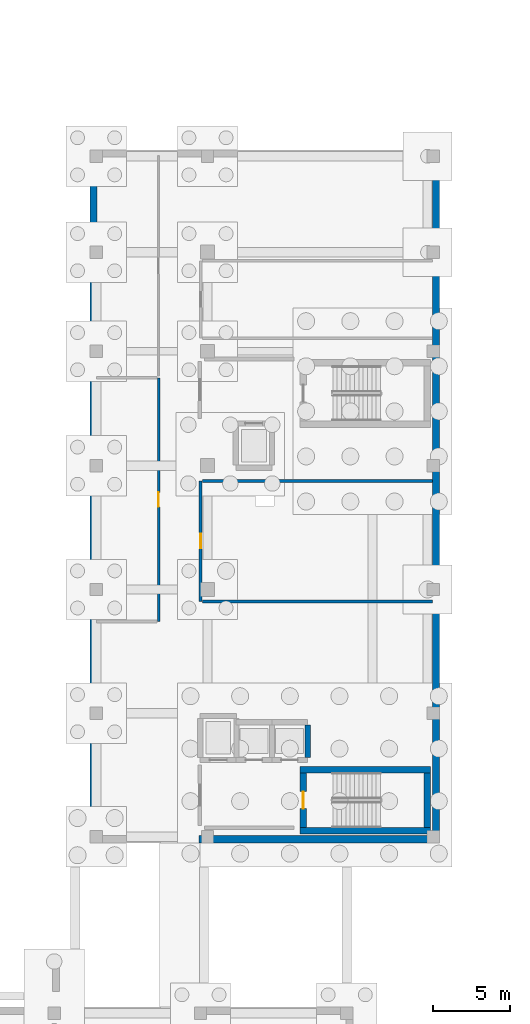
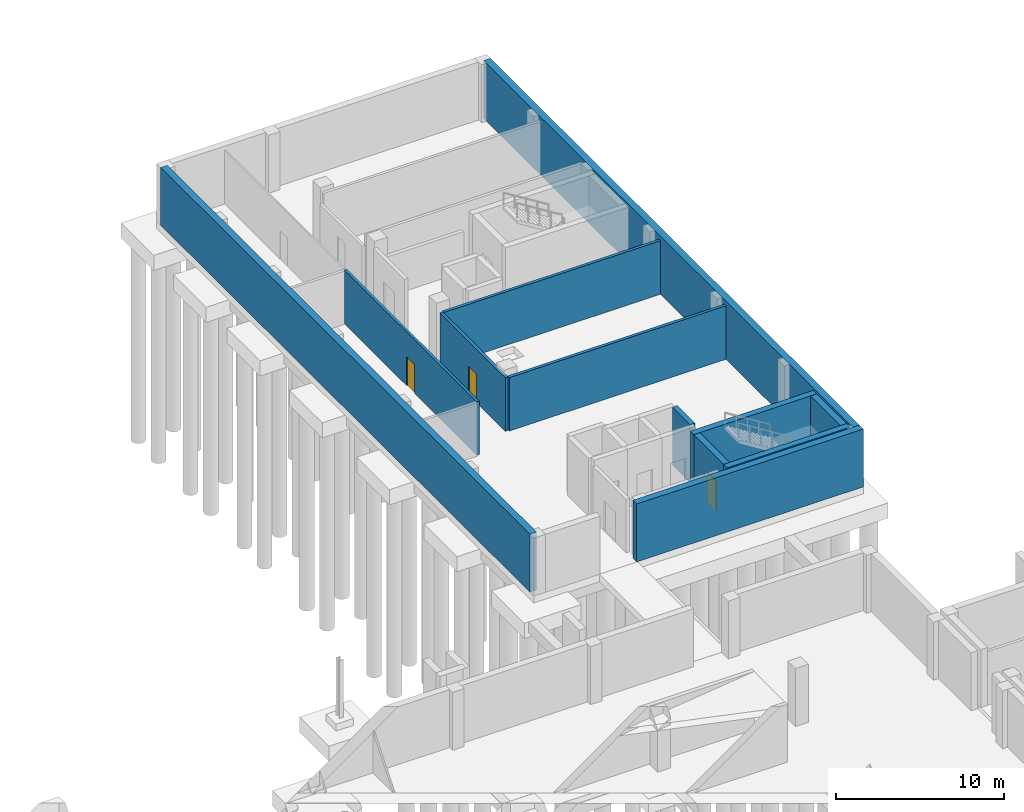
# One storey, part 19 of 31: 12 walls, 3 doors, 3 openings.
"""IFC4 building model written with IfcOpenShell, lengths in metres."""

from ifc_helpers import new_model, si_unit, direction, frame, frame_2d, origin, place, context, subcontext, project, spatial, rectangle, extrude, material, layer, layer_set, type_object, element, fill, save


model = new_model("IFC4")

# Units and contexts
model_context = context("Model", 3, precision=1e-05, world=origin(), true_north=direction((0.0, 1.0)))
body_context = subcontext(model_context, "Body", "Model", "MODEL_VIEW")
ifc_project = project(units=[si_unit("LENGTHUNIT", "METRE"), si_unit("AREAUNIT", "SQUARE_METRE"), si_unit("VOLUMEUNIT", "CUBIC_METRE"), si_unit("PLANEANGLEUNIT", "RADIAN"), si_unit("MASSUNIT", "GRAM", prefix="KILO")], contexts=[model_context])

# Site, building, storey
site_placement = place(None, origin())
site = spatial("IfcSite", under=ifc_project, at=site_placement, CompositionType="ELEMENT")
building_placement = place(site_placement, origin())
building = spatial("IfcBuilding", under=site, at=building_placement, Name="Qalavern Law Courts", CompositionType="ELEMENT")
storey_placement = place(building_placement, frame((0.0, 0.0, -8.39990234375)))
storey = spatial("IfcBuildingStorey", under=building, at=storey_placement, Name="B2", CompositionType="ELEMENT", Elevation=-8.39990234375)

# Walls
ifc_material_1 = material(Name="Concrete C35/45", Category="concrete")
ifc_layer_1 = layer(ifc_material_1, 0.4599609375)
ifc_layer_set_1 = layer_set([ifc_layer_1], Name="Concrete C35/45")
wall_type_1 = type_object("IfcWallType", Name="ENV-EW-RET460", PredefinedType="SOLIDWALL", material=ifc_layer_set_1)
wall_1_placement = place(storey_placement, frame((91.25, 41.25, 0.0), z_axis=(0.0, 0.0, 1.0), x_axis=(1.0, 0.0, 0.0)))
element("IfcWall", 1, at=wall_1_placement, inside=storey, type_object=wall_type_1, Name="V4 basement retaining wall B2 south", PredefinedType="SOLIDWALL", context=body_context, shape_type="SweptSolid", body=[
    extrude(rectangle(XDim=15.550048828125, YDim=0.4599609375, at=frame_2d((7.77490234375, 0.0))), origin(), (0.0, 0.0, 1.0), 4.199951171875),
])
for number, where, z_axis, x_axis, name in (
    (2, (106.570068359375, 41.47509765625, 0.0), (0.0, 0.0, 1.0), (0.0, 1.0, 0.0), "V4 basement retaining wall B2 east"),
    (3, (84.429931640625, 85.344970703125, 0.0), (0.0, 0.0, 1.0), (0.0, -1.0, 0.0), "V4 basement retaining wall B2 west"),
):
    element("IfcWall", number, at=place(storey_placement, frame(where, z_axis=z_axis, x_axis=x_axis)), inside=storey, type_object=wall_type_1, Name=name, PredefinedType="SOLIDWALL", context=body_context, shape_type="SweptSolid", body=[
        extrude(rectangle(XDim=43.869873046875, YDim=0.4599609375, at=frame_2d((21.93505859375, 0.0))), origin(), (0.0, 0.0, 1.0), 4.199951171875),
    ])
ifc_material_2 = material(Name="Concrete C45/55", Category="concrete")
ifc_layer_2 = layer(ifc_material_2, 0.4150390625)
ifc_layer_set_2 = layer_set([ifc_layer_2], Name="Concrete C45/55")
wall_type_2 = type_object("IfcWallType", Name="INT-CW-415", PredefinedType="SHEAR", material=ifc_layer_set_2)
wall_2_placement = place(storey_placement, frame((97.784912109375, 41.79248046875, 0.0), z_axis=(0.0, 0.0, 1.0), x_axis=(1.0, 0.0, 0.0)))
element("IfcWall", 4, at=wall_2_placement, inside=storey, type_object=wall_type_2, Name="Core K1A stair shear wall B2 south", PredefinedType="SHEAR", context=body_context, shape_type="SweptSolid", body=[
    extrude(rectangle(XDim=8.43017578125, YDim=0.4150390625, at=frame_2d((4.215087890625, 0.0))), origin(), (0.0, 0.0, 1.0), 4.199951171875),
])
wall_3_placement = place(storey_placement, frame((106.007568359375, 42.0, 0.0), z_axis=(0.0, 0.0, 1.0), x_axis=(0.0, 1.0, 0.0)))
element("IfcWall", 5, at=wall_3_placement, inside=storey, type_object=wall_type_2, Name="Core K1A stair shear wall B2 east", PredefinedType="SHEAR", context=body_context, shape_type="SweptSolid", body=[
    extrude(rectangle(XDim=3.550048828125, YDim=0.4150390625, at=frame_2d((1.77490234375, 0.0))), origin(), (0.0, 0.0, 1.0), 4.199951171875),
])
wall_4_placement = place(storey_placement, frame((106.215087890625, 45.757568359375, 0.0), z_axis=(0.0, 0.0, 1.0), x_axis=(-1.0, 0.0, 0.0)))
element("IfcWall", 6, at=wall_4_placement, inside=storey, type_object=wall_type_2, Name="Core K1A stair shear wall B2 north", PredefinedType="SHEAR", context=body_context, shape_type="SweptSolid", body=[
    extrude(rectangle(XDim=8.43017578125, YDim=0.4150390625, at=frame_2d((4.215087890625, 0.0))), origin(), (0.0, 0.0, 1.0), 4.199951171875),
])

# Wall, opening, door
wall_5_placement = place(storey_placement, frame((97.992431640625, 45.550048828125, 0.0), z_axis=(0.0, 0.0, 1.0), x_axis=(0.0, -1.0, 0.0)))
wall_5 = element("IfcWall", 7, at=wall_5_placement, inside=storey, type_object=wall_type_2, Name="Core K1A stair shear wall B2 west", PredefinedType="SHEAR", context=body_context, shape_type="SweptSolid", body=[
    extrude(rectangle(XDim=3.550048828125, YDim=0.4150390625, at=frame_2d((1.77490234375, 0.0))), origin(), (0.0, 0.0, 1.0), 4.199951171875),
])
opening_1_placement = place(wall_5_placement, frame((1.22509765625, 0.0, 0.0)))
opening_1 = element("IfcOpeningElement", 8, at=opening_1_placement, cuts=wall_5, Name="Opening B2-D001", PredefinedType="OPENING", context=body_context, shape_type="SweptSolid", body=[
    extrude(rectangle(XDim=1.10009765625, YDim=2.14990234375, at=frame_2d((0.550048828125, 1.074951171875))), frame((0.0, 0.222412109375, 0.0), z_axis=(0.0, -1.0, 0.0), x_axis=(1.0, 0.0, 0.0)), (0.0, 0.0, 1.0), 0.44482421875),
])
ifc_material_3 = material(Name="Steel fire-rated stair enclosure door", Category="steel")
door_type_1 = type_object("IfcDoorType", Name="INT-FD-1100x2150", OperationType="NOTDEFINED", PredefinedType="DOOR", material=ifc_material_3)
door_1_placement = place(opening_1_placement, frame((1.10009765625, 0.0, 0.0), z_axis=(0.0, 0.0, 1.0), x_axis=(-1.0, 0.0, 0.0)))
door_1 = element("IfcDoor", 9, at=door_1_placement, inside=storey, type_object=door_type_1, Name="Stair K1A fire door B2", OperationType="SINGLE_SWING_LEFT", OverallHeight=2.14990234375, OverallWidth=1.10009765625, PredefinedType="DOOR", context=body_context, shape_type="SweptSolid", body=[
    extrude(rectangle(XDim=1.10009765625, YDim=2.14990234375, at=frame_2d((0.550048828125, 1.074951171875))), frame((0.0, 0.02490234375, 0.0), z_axis=(0.0, -1.0, 0.0), x_axis=(1.0, 0.0, 0.0)), (0.0, 0.0, 1.0), 0.050048828125),
])
fill(opening_1, door_1)

ifc_material_4 = material(Name="Gypsum acoustic stud partition")
ifc_layer_3 = layer(ifc_material_4, 0.174072265625)
ifc_layer_set_3 = layer_set([ifc_layer_3], Name="Gypsum acoustic stud partition")
wall_type_3 = type_object("IfcWallType", Name="INT-PW-174", PredefinedType="PARTITIONING", material=ifc_layer_set_3)
wall_6_placement = place(storey_placement, frame((88.639892578125, 55.327880859375, 0.0), z_axis=(0.0, 0.0, 1.0), x_axis=(0.0, 1.0, 0.0)))
wall_6 = element("IfcWall", 10, at=wall_6_placement, inside=storey, type_object=wall_type_3, Name="Civil Court Archive Stacks corridor partition B2", PredefinedType="PARTITIONING", context=body_context, shape_type="SweptSolid", body=[
    extrude(rectangle(XDim=15.751220703125, YDim=0.174072265625, at=frame_2d((7.87548828125, 0.0))), origin(), (0.0, 0.0, 1.0), 3.8798828125),
])
opening_2_placement = place(wall_6_placement, frame((7.410400390625, 0.0, 0.0)))
opening_2 = element("IfcOpeningElement", 11, at=opening_2_placement, cuts=wall_6, Name="Opening B2-D250", PredefinedType="OPENING", context=body_context, shape_type="SweptSolid", body=[
    extrude(rectangle(XDim=0.929931640625, YDim=2.080078125, at=frame_2d((0.46484375, 1.0400390625))), frame((0.0, 0.10205078125, 0.0), z_axis=(0.0, -1.0, 0.0), x_axis=(1.0, 0.0, 0.0)), (0.0, 0.0, 1.0), 0.203857421875),
])
ifc_material_5 = material(Name="Steel Legal Archive Vault door", Category="steel")
door_type_2 = type_object("IfcDoorType", Name="INT-ID-930x2080", OperationType="NOTDEFINED", PredefinedType="DOOR", material=ifc_material_5)
door_2_placement = place(opening_2_placement, frame((0.929931640625, 0.0, 0.0), z_axis=(0.0, 0.0, 1.0), x_axis=(-1.0, 0.0, 0.0)))
door_2 = element("IfcDoor", 12, at=door_2_placement, inside=storey, type_object=door_type_2, Name="Civil Court Archive Stacks door B2", OperationType="SINGLE_SWING_LEFT", OverallHeight=2.080078125, OverallWidth=0.929931640625, PredefinedType="DOOR", context=body_context, shape_type="SweptSolid", body=[
    extrude(rectangle(XDim=0.929931640625, YDim=2.080078125, at=frame_2d((0.46484375, 1.0400390625))), frame((0.0, 0.02490234375, 0.0), z_axis=(0.0, -1.0, 0.0), x_axis=(1.0, 0.0, 0.0)), (0.0, 0.0, 1.0), 0.050048828125),
])
fill(opening_2, door_2)

ifc_material_6 = material(Name="Gypsum acoustic double-stud partition")
ifc_layer_4 = layer(ifc_material_6, 0.197998046875)
ifc_layer_set_4 = layer_set([ifc_layer_4], Name="Gypsum acoustic double-stud partition")
wall_type_4 = type_object("IfcWallType", Name="INT-PW-198", PredefinedType="PARTITIONING", material=ifc_layer_set_4)
wall_7_placement = place(storey_placement, frame((91.360107421875, 56.635009765625, 0.0), z_axis=(0.0, 0.0, 1.0), x_axis=(0.0, 1.0, 0.0)))
wall_7 = element("IfcWall", 13, at=wall_7_placement, inside=storey, type_object=wall_type_4, Name="Civil Court Archive Stacks corridor partition B2", PredefinedType="PARTITIONING", context=body_context, shape_type="SweptSolid", body=[
    extrude(rectangle(XDim=7.77490234375, YDim=0.197998046875, at=frame_2d((3.887451171875, 0.0))), origin(), (0.0, 0.0, 1.0), 3.8798828125),
])
opening_3_placement = place(wall_7_placement, frame((3.422607421875, 0.0, 0.0)))
opening_3 = element("IfcOpeningElement", 14, at=opening_3_placement, cuts=wall_7, Name="Opening B2-D252", PredefinedType="OPENING", context=body_context, shape_type="SweptSolid", body=[
    extrude(rectangle(XDim=0.929931640625, YDim=2.080078125, at=frame_2d((0.46484375, 1.0400390625))), frame((0.0, 0.11376953125, 0.0), z_axis=(0.0, -1.0, 0.0), x_axis=(1.0, 0.0, 0.0)), (0.0, 0.0, 1.0), 0.227783203125),
])
door_3_placement = place(opening_3_placement, origin())
door_3 = element("IfcDoor", 15, at=door_3_placement, inside=storey, type_object=door_type_2, Name="Civil Court Archive Stacks door B2", OperationType="SINGLE_SWING_LEFT", OverallHeight=2.080078125, OverallWidth=0.929931640625, PredefinedType="DOOR", context=body_context, shape_type="SweptSolid", body=[
    extrude(rectangle(XDim=0.929931640625, YDim=2.080078125, at=frame_2d((0.46484375, 1.0400390625))), frame((0.0, 0.02490234375, 0.0), z_axis=(0.0, -1.0, 0.0), x_axis=(1.0, 0.0, 0.0)), (0.0, 0.0, 1.0), 0.050048828125),
])
fill(opening_3, door_3)

# Walls
for number, where, z_axis, x_axis, name in (
    (16, (91.47900390625, 56.635009765625, 0.0), (0.0, 0.0, 1.0), (1.0, 0.0, 0.0), "Civil Court Archive Stacks cross partition B2 south"),
    (17, (91.47900390625, 64.409912109375, 0.0), (0.0, 0.0, 1.0), (1.0, 0.0, 0.0), "Civil Court Archive Stacks cross partition B2 north"),
):
    element("IfcWall", number, at=place(storey_placement, frame(where, z_axis=z_axis, x_axis=x_axis)), inside=storey, type_object=wall_type_4, Name=name, PredefinedType="PARTITIONING", context=body_context, shape_type="SweptSolid", body=[
        extrude(rectangle(XDim=14.881103515625, YDim=0.197998046875, at=frame_2d((7.4404296875, 0.0))), origin(), (0.0, 0.0, 1.0), 3.8798828125),
    ])
ifc_layer_5 = layer(ifc_material_2, 0.344970703125)
ifc_layer_set_5 = layer_set([ifc_layer_5], Name="Concrete C45/55")
wall_type_5 = type_object("IfcWallType", Name="INT-SW-345", PredefinedType="SHEAR", material=ifc_layer_set_5)
wall_8_placement = place(storey_placement, frame((98.2724609375, 46.550048828125, 0.0), z_axis=(0.0, 0.0, 1.0), x_axis=(0.0, 1.0, 0.0)))
element("IfcWall", 18, at=wall_8_placement, inside=storey, type_object=wall_type_5, Name="Lift LF-P2 shaft wall B2 east", PredefinedType="SHEAR", context=body_context, shape_type="SweptSolid", body=[
    extrude(rectangle(XDim=2.099853515625, YDim=0.344970703125, at=frame_2d((1.0498046875, 0.0))), origin(), (0.0, 0.0, 1.0), 4.199951171875),
])

save(model, "model.ifc")
